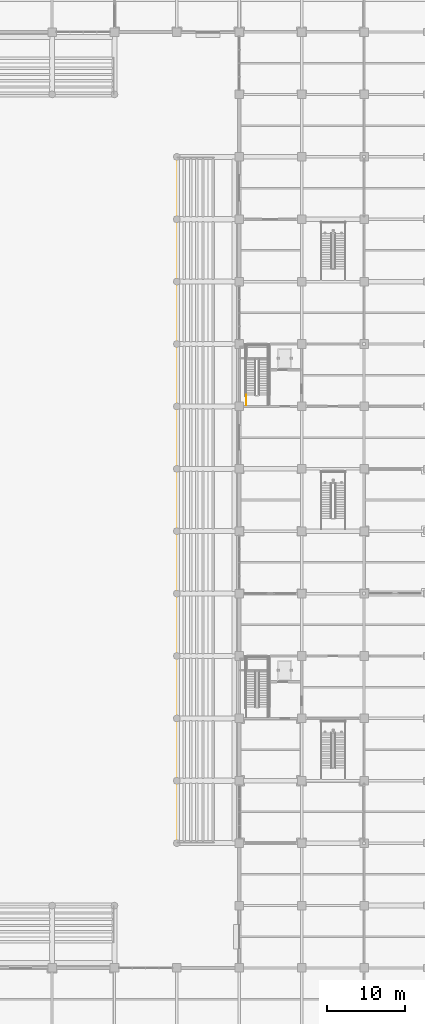
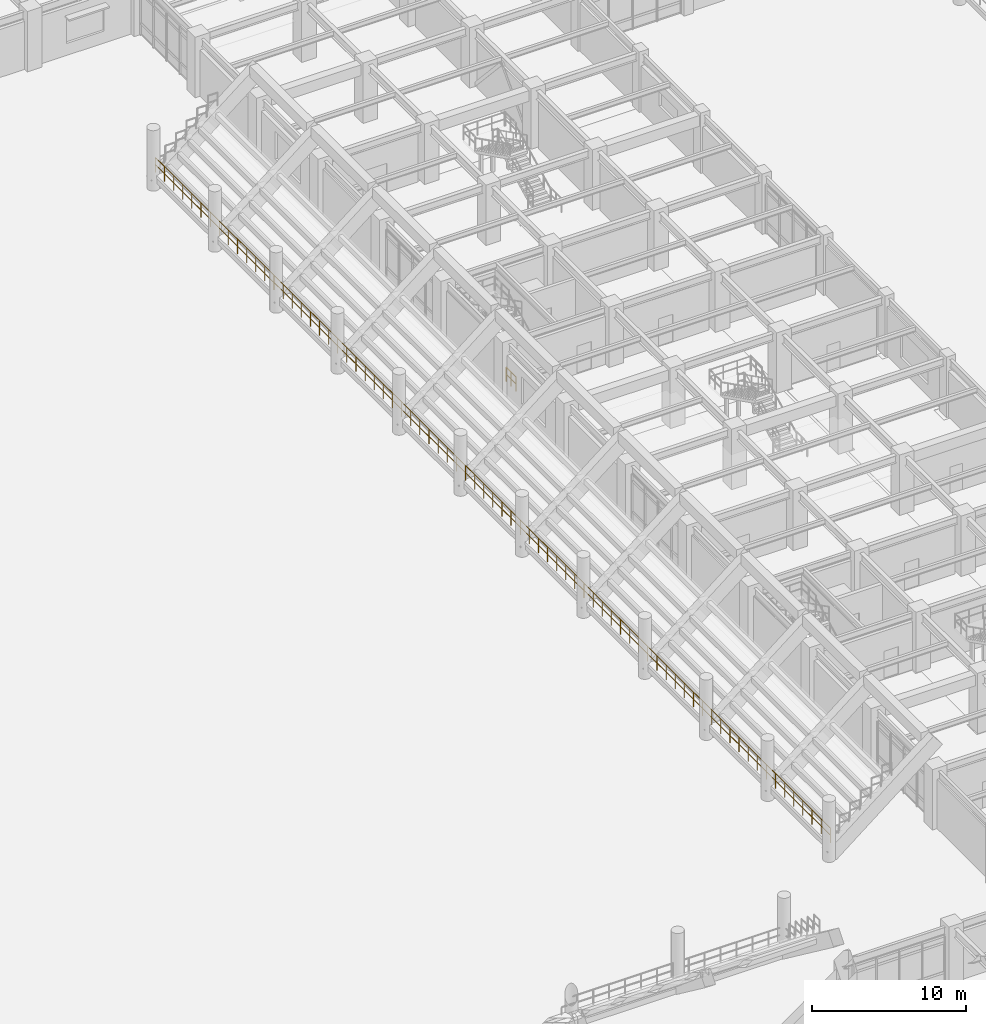
# One storey, part 115 of 125: 2 railings.
"""IFC4 building model written with IfcOpenShell, lengths in metres."""

from ifc_helpers import new_model, si_unit, direction, frame, origin, origin_2d, place, context, subcontext, project, spatial, circle, extrude, material, type_object, element, save


model = new_model("IFC4")

# Units and contexts
model_context = context("Model", 3, precision=1e-05, world=origin(), true_north=direction((0.0, 1.0)))
body_context = subcontext(model_context, "Body", "Model", "MODEL_VIEW")
ifc_project = project(units=[si_unit("LENGTHUNIT", "METRE"), si_unit("AREAUNIT", "SQUARE_METRE"), si_unit("VOLUMEUNIT", "CUBIC_METRE"), si_unit("PLANEANGLEUNIT", "RADIAN"), si_unit("MASSUNIT", "GRAM", prefix="KILO")], contexts=[model_context])

# Site, building, storey
site_placement = place(None, origin())
site = spatial("IfcSite", under=ifc_project, at=site_placement, CompositionType="ELEMENT")
building_placement = place(site_placement, origin())
building = spatial("IfcBuilding", under=site, at=building_placement, Name="Haebicheon Civic Stadium", CompositionType="ELEMENT")
storey_placement = place(building_placement, origin())
storey = spatial("IfcBuildingStorey", under=building, at=storey_placement, Name="L01", CompositionType="ELEMENT", Elevation=0.0)

# Railings
ifc_material_1 = material(Name="Stainless steel 316 and laminated glass", Category="steel")
railing_type_1 = type_object("IfcRailingType", Name="RL-BAL-1200", PredefinedType="BALUSTRADE", material=ifc_material_1)
railing_1_placement = place(storey_placement, frame((136.1201171875, 48.06005859375, 1.199951171875)))
element("IfcRailing", 1, at=railing_1_placement, inside=storey, type_object=railing_type_1, material=ifc_material_1, Name="TIER-E-L pitchside sightline balustrade", PredefinedType="BALUSTRADE", context=body_context, shape_type="SweptSolid", body=[
    extrude(circle(Radius=0.02392578125, at=origin_2d()), frame((0.0, 0.0, 1.17578125), z_axis=(0.0, 1.0, 0.0), x_axis=(-1.0, 0.0, 0.0)), (0.0, 0.0, 1.0), 87.8798828125),
    extrude(circle(Radius=0.02392578125, at=origin_2d()), frame((0.0, 0.0, 0.60009765625), z_axis=(0.0, 1.0, 0.0), x_axis=(-1.0, 0.0, 0.0)), (0.0, 0.0, 1.0), 87.8798828125),
    extrude(circle(Radius=0.02099609375, at=origin_2d()), origin(), (0.0, 0.0, 1.0), 1.15185546875),
    extrude(circle(Radius=0.02099609375, at=origin_2d()), frame((0.0, 1.1875, 0.0)), (0.0, 0.0, 1.0), 1.15185546875),
    extrude(circle(Radius=0.02099609375, at=origin_2d()), frame((0.0, 2.375244140625, 0.0)), (0.0, 0.0, 1.0), 1.15185546875),
    extrude(circle(Radius=0.02099609375, at=origin_2d()), frame((0.0, 3.562744140625, 0.0)), (0.0, 0.0, 1.0), 1.15185546875),
    extrude(circle(Radius=0.02099609375, at=origin_2d()), frame((0.0, 4.750244140625, 0.0)), (0.0, 0.0, 1.0), 1.15185546875),
    extrude(circle(Radius=0.02099609375, at=origin_2d()), frame((0.0, 5.937744140625, 0.0)), (0.0, 0.0, 1.0), 1.15185546875),
    extrude(circle(Radius=0.02099609375, at=origin_2d()), frame((0.0, 7.12548828125, 0.0)), (0.0, 0.0, 1.0), 1.15185546875),
    extrude(circle(Radius=0.02099609375, at=origin_2d()), frame((0.0, 8.31298828125, 0.0)), (0.0, 0.0, 1.0), 1.15185546875),
    extrude(circle(Radius=0.02099609375, at=origin_2d()), frame((0.0, 9.50048828125, 0.0)), (0.0, 0.0, 1.0), 1.15185546875),
    extrude(circle(Radius=0.02099609375, at=origin_2d()), frame((0.0, 10.68798828125, 0.0)), (0.0, 0.0, 1.0), 1.15185546875),
    extrude(circle(Radius=0.02099609375, at=origin_2d()), frame((0.0, 11.875732421875, 0.0)), (0.0, 0.0, 1.0), 1.15185546875),
    extrude(circle(Radius=0.02099609375, at=origin_2d()), frame((0.0, 13.063232421875, 0.0)), (0.0, 0.0, 1.0), 1.15185546875),
    extrude(circle(Radius=0.02099609375, at=origin_2d()), frame((0.0, 14.250732421875, 0.0)), (0.0, 0.0, 1.0), 1.15185546875),
    extrude(circle(Radius=0.02099609375, at=origin_2d()), frame((0.0, 15.4384765625, 0.0)), (0.0, 0.0, 1.0), 1.15185546875),
    extrude(circle(Radius=0.02099609375, at=origin_2d()), frame((0.0, 16.6259765625, 0.0)), (0.0, 0.0, 1.0), 1.15185546875),
    extrude(circle(Radius=0.02099609375, at=origin_2d()), frame((0.0, 17.8134765625, 0.0)), (0.0, 0.0, 1.0), 1.15185546875),
    extrude(circle(Radius=0.02099609375, at=origin_2d()), frame((0.0, 19.0009765625, 0.0)), (0.0, 0.0, 1.0), 1.15185546875),
    extrude(circle(Radius=0.02099609375, at=origin_2d()), frame((0.0, 20.188720703125, 0.0)), (0.0, 0.0, 1.0), 1.15185546875),
    extrude(circle(Radius=0.02099609375, at=origin_2d()), frame((0.0, 21.376220703125, 0.0)), (0.0, 0.0, 1.0), 1.15185546875),
    extrude(circle(Radius=0.02099609375, at=origin_2d()), frame((0.0, 22.563720703125, 0.0)), (0.0, 0.0, 1.0), 1.15185546875),
    extrude(circle(Radius=0.02099609375, at=origin_2d()), frame((0.0, 23.751220703125, 0.0)), (0.0, 0.0, 1.0), 1.15185546875),
    extrude(circle(Radius=0.02099609375, at=origin_2d()), frame((0.0, 24.93896484375, 0.0)), (0.0, 0.0, 1.0), 1.15185546875),
    extrude(circle(Radius=0.02099609375, at=origin_2d()), frame((0.0, 26.12646484375, 0.0)), (0.0, 0.0, 1.0), 1.15185546875),
    extrude(circle(Radius=0.02099609375, at=origin_2d()), frame((0.0, 27.31396484375, 0.0)), (0.0, 0.0, 1.0), 1.15185546875),
    extrude(circle(Radius=0.02099609375, at=origin_2d()), frame((0.0, 28.50146484375, 0.0)), (0.0, 0.0, 1.0), 1.15185546875),
    extrude(circle(Radius=0.02099609375, at=origin_2d()), frame((0.0, 29.689208984375, 0.0)), (0.0, 0.0, 1.0), 1.15185546875),
    extrude(circle(Radius=0.02099609375, at=origin_2d()), frame((0.0, 30.876708984375, 0.0)), (0.0, 0.0, 1.0), 1.15185546875),
    extrude(circle(Radius=0.02099609375, at=origin_2d()), frame((0.0, 32.064208984375, 0.0)), (0.0, 0.0, 1.0), 1.15185546875),
    extrude(circle(Radius=0.02099609375, at=origin_2d()), frame((0.0, 33.251953125, 0.0)), (0.0, 0.0, 1.0), 1.15185546875),
    extrude(circle(Radius=0.02099609375, at=origin_2d()), frame((0.0, 34.439453125, 0.0)), (0.0, 0.0, 1.0), 1.15185546875),
    extrude(circle(Radius=0.02099609375, at=origin_2d()), frame((0.0, 35.626953125, 0.0)), (0.0, 0.0, 1.0), 1.15185546875),
    extrude(circle(Radius=0.02099609375, at=origin_2d()), frame((0.0, 36.814453125, 0.0)), (0.0, 0.0, 1.0), 1.15185546875),
    extrude(circle(Radius=0.02099609375, at=origin_2d()), frame((0.0, 38.002197265625, 0.0)), (0.0, 0.0, 1.0), 1.15185546875),
    extrude(circle(Radius=0.02099609375, at=origin_2d()), frame((0.0, 39.189697265625, 0.0)), (0.0, 0.0, 1.0), 1.15185546875),
    extrude(circle(Radius=0.02099609375, at=origin_2d()), frame((0.0, 40.377197265625, 0.0)), (0.0, 0.0, 1.0), 1.15185546875),
    extrude(circle(Radius=0.02099609375, at=origin_2d()), frame((0.0, 41.564697265625, 0.0)), (0.0, 0.0, 1.0), 1.15185546875),
    extrude(circle(Radius=0.02099609375, at=origin_2d()), frame((0.0, 42.75244140625, 0.0)), (0.0, 0.0, 1.0), 1.15185546875),
    extrude(circle(Radius=0.02099609375, at=origin_2d()), frame((0.0, 43.93994140625, 0.0)), (0.0, 0.0, 1.0), 1.15185546875),
    extrude(circle(Radius=0.02099609375, at=origin_2d()), frame((0.0, 45.12744140625, 0.0)), (0.0, 0.0, 1.0), 1.15185546875),
    extrude(circle(Radius=0.02099609375, at=origin_2d()), frame((0.0, 46.315185546875, 0.0)), (0.0, 0.0, 1.0), 1.15185546875),
    extrude(circle(Radius=0.02099609375, at=origin_2d()), frame((0.0, 47.502685546875, 0.0)), (0.0, 0.0, 1.0), 1.15185546875),
    extrude(circle(Radius=0.02099609375, at=origin_2d()), frame((0.0, 48.690185546875, 0.0)), (0.0, 0.0, 1.0), 1.15185546875),
    extrude(circle(Radius=0.02099609375, at=origin_2d()), frame((0.0, 49.877685546875, 0.0)), (0.0, 0.0, 1.0), 1.15185546875),
    extrude(circle(Radius=0.02099609375, at=origin_2d()), frame((0.0, 51.0654296875, 0.0)), (0.0, 0.0, 1.0), 1.15185546875),
    extrude(circle(Radius=0.02099609375, at=origin_2d()), frame((0.0, 52.2529296875, 0.0)), (0.0, 0.0, 1.0), 1.15185546875),
    extrude(circle(Radius=0.02099609375, at=origin_2d()), frame((0.0, 53.4404296875, 0.0)), (0.0, 0.0, 1.0), 1.15185546875),
    extrude(circle(Radius=0.02099609375, at=origin_2d()), frame((0.0, 54.6279296875, 0.0)), (0.0, 0.0, 1.0), 1.15185546875),
    extrude(circle(Radius=0.02099609375, at=origin_2d()), frame((0.0, 55.815673828125, 0.0)), (0.0, 0.0, 1.0), 1.15185546875),
    extrude(circle(Radius=0.02099609375, at=origin_2d()), frame((0.0, 57.003173828125, 0.0)), (0.0, 0.0, 1.0), 1.15185546875),
    extrude(circle(Radius=0.02099609375, at=origin_2d()), frame((0.0, 58.190673828125, 0.0)), (0.0, 0.0, 1.0), 1.15185546875),
    extrude(circle(Radius=0.02099609375, at=origin_2d()), frame((0.0, 59.37841796875, 0.0)), (0.0, 0.0, 1.0), 1.15185546875),
    extrude(circle(Radius=0.02099609375, at=origin_2d()), frame((0.0, 60.56591796875, 0.0)), (0.0, 0.0, 1.0), 1.15185546875),
    extrude(circle(Radius=0.02099609375, at=origin_2d()), frame((0.0, 61.75341796875, 0.0)), (0.0, 0.0, 1.0), 1.15185546875),
    extrude(circle(Radius=0.02099609375, at=origin_2d()), frame((0.0, 62.94091796875, 0.0)), (0.0, 0.0, 1.0), 1.15185546875),
    extrude(circle(Radius=0.02099609375, at=origin_2d()), frame((0.0, 64.128662109375, 0.0)), (0.0, 0.0, 1.0), 1.15185546875),
    extrude(circle(Radius=0.02099609375, at=origin_2d()), frame((0.0, 65.316162109375, 0.0)), (0.0, 0.0, 1.0), 1.15185546875),
    extrude(circle(Radius=0.02099609375, at=origin_2d()), frame((0.0, 66.503662109375, 0.0)), (0.0, 0.0, 1.0), 1.15185546875),
    extrude(circle(Radius=0.02099609375, at=origin_2d()), frame((0.0, 67.691162109375, 0.0)), (0.0, 0.0, 1.0), 1.15185546875),
    extrude(circle(Radius=0.02099609375, at=origin_2d()), frame((0.0, 68.87890625, 0.0)), (0.0, 0.0, 1.0), 1.15185546875),
    extrude(circle(Radius=0.02099609375, at=origin_2d()), frame((0.0, 70.06640625, 0.0)), (0.0, 0.0, 1.0), 1.15185546875),
    extrude(circle(Radius=0.02099609375, at=origin_2d()), frame((0.0, 71.25390625, 0.0)), (0.0, 0.0, 1.0), 1.15185546875),
    extrude(circle(Radius=0.02099609375, at=origin_2d()), frame((0.0, 72.44140625, 0.0)), (0.0, 0.0, 1.0), 1.15185546875),
    extrude(circle(Radius=0.02099609375, at=origin_2d()), frame((0.0, 73.629150390625, 0.0)), (0.0, 0.0, 1.0), 1.15185546875),
    extrude(circle(Radius=0.02099609375, at=origin_2d()), frame((0.0, 74.816650390625, 0.0)), (0.0, 0.0, 1.0), 1.15185546875),
    extrude(circle(Radius=0.02099609375, at=origin_2d()), frame((0.0, 76.004150390625, 0.0)), (0.0, 0.0, 1.0), 1.15185546875),
    extrude(circle(Radius=0.02099609375, at=origin_2d()), frame((0.0, 77.19189453125, 0.0)), (0.0, 0.0, 1.0), 1.15185546875),
    extrude(circle(Radius=0.02099609375, at=origin_2d()), frame((0.0, 78.37939453125, 0.0)), (0.0, 0.0, 1.0), 1.15185546875),
    extrude(circle(Radius=0.02099609375, at=origin_2d()), frame((0.0, 79.56689453125, 0.0)), (0.0, 0.0, 1.0), 1.15185546875),
    extrude(circle(Radius=0.02099609375, at=origin_2d()), frame((0.0, 80.75439453125, 0.0)), (0.0, 0.0, 1.0), 1.15185546875),
    extrude(circle(Radius=0.02099609375, at=origin_2d()), frame((0.0, 81.942138671875, 0.0)), (0.0, 0.0, 1.0), 1.15185546875),
    extrude(circle(Radius=0.02099609375, at=origin_2d()), frame((0.0, 83.129638671875, 0.0)), (0.0, 0.0, 1.0), 1.15185546875),
    extrude(circle(Radius=0.02099609375, at=origin_2d()), frame((0.0, 84.317138671875, 0.0)), (0.0, 0.0, 1.0), 1.15185546875),
    extrude(circle(Radius=0.02099609375, at=origin_2d()), frame((0.0, 85.504638671875, 0.0)), (0.0, 0.0, 1.0), 1.15185546875),
    extrude(circle(Radius=0.02099609375, at=origin_2d()), frame((0.0, 86.6923828125, 0.0)), (0.0, 0.0, 1.0), 1.15185546875),
    extrude(circle(Radius=0.02099609375, at=origin_2d()), frame((0.0, 87.8798828125, 0.0)), (0.0, 0.0, 1.0), 1.15185546875),
])
ifc_material_2 = material(Name="Galvanised painted steel SM355", Category="steel")
railing_type_2 = type_object("IfcRailingType", Name="RL-GRD-1150", PredefinedType="GUARDRAIL", material=ifc_material_2)
railing_2_placement = place(storey_placement, frame((144.889892578125, 104.159912109375, 0.0)))
element("IfcRailing", 2, at=railing_2_placement, inside=storey, type_object=railing_type_2, material=ifc_material_2, Name="L01 ST-11 stair guard 9", PredefinedType="GUARDRAIL", context=body_context, shape_type="SweptSolid", body=[
    extrude(circle(Radius=0.02392578125, at=origin_2d()), frame((0.0, 0.0, 1.1259765625), z_axis=(0.0, 1.0, 0.0), x_axis=(-1.0, 0.0, 0.0)), (0.0, 0.0, 1.0), 1.2900390625),
    extrude(circle(Radius=0.02392578125, at=origin_2d()), frame((0.0, 0.0, 0.574951171875), z_axis=(0.0, 1.0, 0.0), x_axis=(-1.0, 0.0, 0.0)), (0.0, 0.0, 1.0), 1.2900390625),
    extrude(circle(Radius=0.02099609375, at=origin_2d()), origin(), (0.0, 0.0, 1.0), 1.101806640625),
    extrude(circle(Radius=0.02099609375, at=origin_2d()), frame((0.0, 0.64501953125, 0.0)), (0.0, 0.0, 1.0), 1.101806640625),
    extrude(circle(Radius=0.02099609375, at=origin_2d()), frame((0.0, 1.2900390625, 0.0)), (0.0, 0.0, 1.0), 1.101806640625),
])

save(model, "model.ifc")
